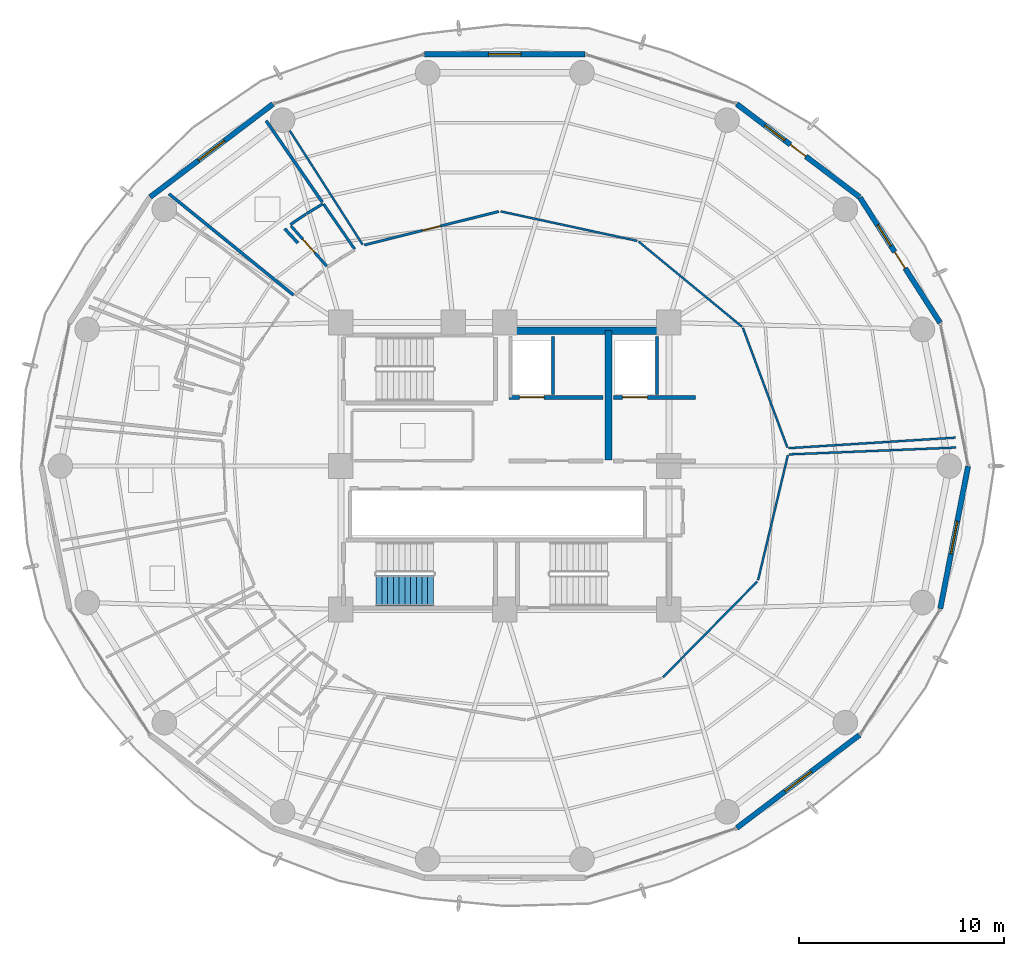
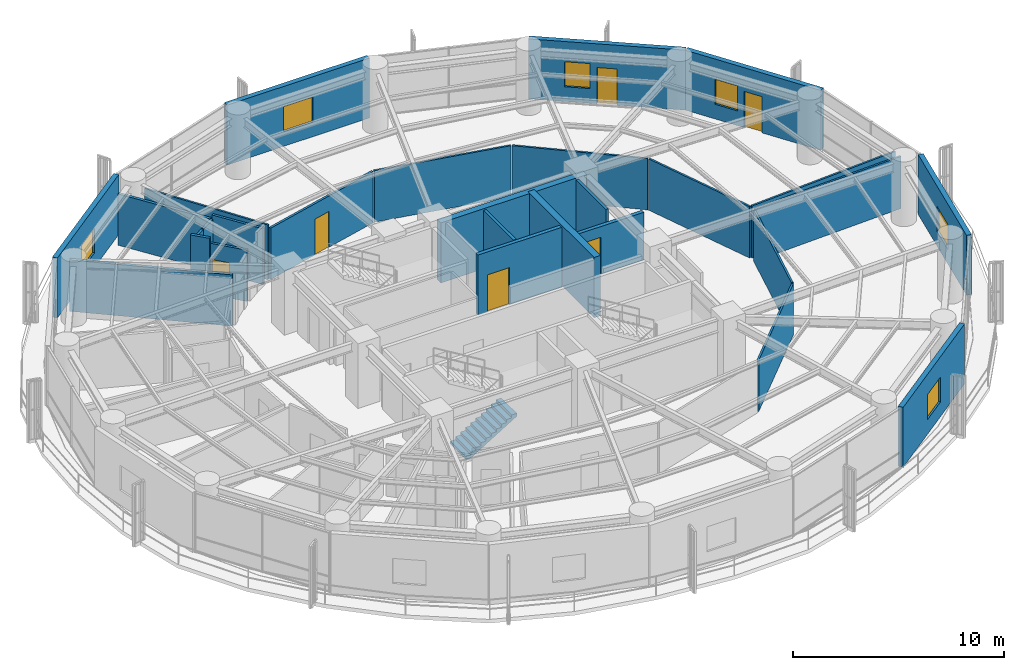
# One storey, part 24 of 28: 28 walls, 6 doors, 6 windows, 1 stair flight, 12 openings, 1 element without a shape of its own.
"""IFC4 building model written with IfcOpenShell, lengths in metres."""

import ifcopenshell
import ifcopenshell.guid

model = None  # the IFC model being written
_history = None  # IfcOwnerHistory: only IFC2X3 demands one
_inside = {}  # id of a spatial element -> (the spatial element, [elements in it])
_under = {}  # id of a project, library or spatial element -> (it, [spatial elements below it])
_declared = {}  # id of a project -> (the project, [libraries it declares])
_typed = {}  # id of a type object -> (the type object, [elements of that type])
_made_of = {}  # id of a material, layer set ... -> (it, [elements and type objects made of it])


def new_model(schema):
    """Start an empty IFC model of exactly this schema.

    Asked for "IFC4X3", IfcOpenShell would pick the latest addendum, in which some entities
    have other attributes; the version numbers below select the first issue.
    IFC2X3 requires an IfcOwnerHistory on every rooted entity: one is made here for all.
    """
    global model, _history
    if schema == "IFC4X3":
        model = ifcopenshell.file(schema_version=(4, 3, 0, 0))
    else:
        model = ifcopenshell.file(schema=schema)
    _inside.clear()
    _under.clear()
    _declared.clear()
    _typed.clear()
    _made_of.clear()
    _history = None
    if model.schema == "IFC2X3":
        org = make("IfcOrganization", Name="unknown")
        user = make(
            "IfcPersonAndOrganization",
            ThePerson=make("IfcPerson", FamilyName="unknown"),
            TheOrganization=org,
        )
        app = make(
            "IfcApplication",
            ApplicationDeveloper=org,
            Version="unknown",
            ApplicationFullName="unknown",
            ApplicationIdentifier="unknown",
        )
        _history = make(
            "IfcOwnerHistory",
            OwningUser=user,
            OwningApplication=app,
            ChangeAction="ADDED",
            CreationDate=0,
        )
    return model


def make(cls, **values):
    """One entity of the class cls with the attributes given. An attribute that is None is left unset."""
    return model.create_entity(
        cls, **{name: value for name, value in values.items() if value is not None}
    )


def rooted(cls, **values):
    """An entity with a GlobalId (a new one), such as an element, a storey or a relation."""
    return make(cls, GlobalId=ifcopenshell.guid.new(), OwnerHistory=_history, **values)


def si_unit(unit_type, name, prefix=None):
    """IfcSIUnit, for example si_unit("LENGTHUNIT", "METRE", prefix="MILLI")."""
    return make("IfcSIUnit", UnitType=unit_type, Prefix=prefix, Name=name)


def assignment(units):
    """IfcUnitAssignment: the units of a project."""
    return None if units is None else make("IfcUnitAssignment", Units=units)


def point(xyz):
    """IfcCartesianPoint."""
    return None if xyz is None else make("IfcCartesianPoint", Coordinates=xyz)


def direction(xyz):
    """IfcDirection."""
    return None if xyz is None else make("IfcDirection", DirectionRatios=xyz)


def frame(location, z_axis=None, x_axis=None):
    """IfcAxis2Placement3D, a coordinate frame: its origin and axes. An axis left out is left unset."""
    return make(
        "IfcAxis2Placement3D",
        Location=point(location),
        Axis=direction(z_axis),
        RefDirection=direction(x_axis),
    )


def frame_2d(location, x_axis=None):
    """IfcAxis2Placement2D, a coordinate frame in the plane: its origin and x axis."""
    return make(
        "IfcAxis2Placement2D", Location=point(location), RefDirection=direction(x_axis)
    )


def origin():
    """The frame at (0, 0, 0) with its axes left unset."""
    return frame((0.0, 0.0, 0.0))


def place(relative_to, where):
    """IfcLocalPlacement: puts the frame where relative to a parent placement (None: the world)."""
    return make(
        "IfcLocalPlacement", PlacementRelTo=relative_to, RelativePlacement=where
    )


def context(
    kind, dimensions, precision=None, world=None, true_north=None, identifier=None
):
    """IfcGeometricRepresentationContext, for example the 3D "Model" context."""
    return make(
        "IfcGeometricRepresentationContext",
        ContextIdentifier=identifier,
        ContextType=kind,
        CoordinateSpaceDimension=dimensions,
        Precision=precision,
        WorldCoordinateSystem=world,
        TrueNorth=true_north,
    )


def subcontext(parent, identifier, kind, view, scale=None):
    """IfcGeometricRepresentationSubContext, for example "Body" below "Model"."""
    return make(
        "IfcGeometricRepresentationSubContext",
        ContextIdentifier=identifier,
        ContextType=kind,
        ParentContext=parent,
        TargetScale=scale,
        TargetView=view,
    )


def project(units=None, contexts=None):
    """IfcProject with its units and contexts."""
    return rooted(
        "IfcProject",
        Name="project",
        RepresentationContexts=contexts,
        UnitsInContext=assignment(units),
    )


def spatial(cls, under=None, at=None, **own):
    """A site, building, storey or space (cls), placed at a placement, below another one or the project."""
    s = rooted(cls, ObjectPlacement=at, **own)
    if under is not None:
        _under.setdefault(under.id(), (under, []))[1].append(s)
    return s


def polyline(points):
    """IfcPolyline through the points."""
    return make("IfcPolyline", Points=[point(p) for p in points])


def profile(cls, at=None, kind="AREA", **sizes):
    """A parametric profile (cls). Its sizes go by their IFC names, for example OverallWidth=200.0."""
    return make(cls, ProfileType=kind, Position=at, **sizes)


def rectangle(**sizes):
    """IfcRectangleProfileDef."""
    return profile("IfcRectangleProfileDef", **sizes)


def outline(outer, holes=None, kind="AREA"):
    """IfcArbitraryClosedProfileDef: a profile drawn as a closed curve; with holes, ...WithVoids."""
    if holes is None:
        return make("IfcArbitraryClosedProfileDef", ProfileType=kind, OuterCurve=outer)
    return make(
        "IfcArbitraryProfileDefWithVoids",
        ProfileType=kind,
        OuterCurve=outer,
        InnerCurves=holes,
    )


def extrude(swept, where, along, depth):
    """IfcExtrudedAreaSolid: the profile swept, set in the frame where, extruded along a direction by depth."""
    return make(
        "IfcExtrudedAreaSolid",
        SweptArea=swept,
        Position=where,
        ExtrudedDirection=direction(along),
        Depth=depth,
    )


def shape(context_of_items, identifier, shape_type, items):
    """IfcShapeRepresentation: the items that make up one representation, for example the "Body"."""
    return make(
        "IfcShapeRepresentation",
        ContextOfItems=context_of_items,
        RepresentationIdentifier=identifier,
        RepresentationType=shape_type,
        Items=items,
    )


def material(Name=None, Category=None):
    """IfcMaterial."""
    return make("IfcMaterial", Name=Name, Category=Category)


def layer(
    of_material, thickness, ventilated=None, Name=None, Category=None, Priority=None
):
    """IfcMaterialLayer: one layer of a wall or slab, of a material (None: an air gap)."""
    return make(
        "IfcMaterialLayer",
        Material=of_material,
        LayerThickness=thickness,
        IsVentilated=ventilated,
        Name=Name,
        Category=Category,
        Priority=Priority,
    )


def layer_set(layers, Name=None):
    """IfcMaterialLayerSet."""
    return make("IfcMaterialLayerSet", MaterialLayers=layers, LayerSetName=Name)


def made_of(thing, what):
    """Note that an element or type object is made of a material, layer set ...; save() writes the relation."""
    if what is not None:
        _made_of.setdefault(what.id(), (what, []))[1].append(thing)
    return thing


def type_object(cls, material=None, **own):
    """A type object (cls), such as IfcWallType, which elements share."""
    return made_of(rooted(cls, **own), material)


def element(
    cls,
    number,
    at=None,
    inside=None,
    cuts=None,
    type_object=None,
    material=None,
    context=None,
    identifier="Body",
    shape_type=None,
    held_by="IfcProductDefinitionShape",
    body=None,
    shapes=None,
    **own,
):
    """One element of the class cls, such as IfcWall. Its Tag is "e" and its number.

    at: its placement. inside: the storey or other place that contains it. cuts: it is an
    opening in that element (IfcRelVoidsElement). A single representation is given by context,
    identifier, shape_type and body (its items); several are given by shapes. held_by: the class
    of the entity that holds the representations. save() writes the other relations.
    """
    e = rooted(cls, Tag="e%d" % number, ObjectPlacement=at, **own)
    if body is not None:
        shapes = [shape(context, identifier, shape_type, body)]
    if shapes is not None:
        e.Representation = make(held_by, Representations=shapes)
    if inside is not None:
        _inside.setdefault(inside.id(), (inside, []))[1].append(e)
    if cuts is not None:
        rooted(
            "IfcRelVoidsElement", RelatingBuildingElement=cuts, RelatedOpeningElement=e
        )
    if type_object is not None:
        _typed.setdefault(type_object.id(), (type_object, []))[1].append(e)
    return made_of(e, material)


def fill(opening, filler):
    """IfcRelFillsElement: the door or window that sits in an opening."""
    return rooted(
        "IfcRelFillsElement",
        RelatingOpeningElement=opening,
        RelatedBuildingElement=filler,
    )


def aggregate(whole, parts):
    """IfcRelAggregates: a whole, such as a stair, and the parts it consists of."""
    return rooted("IfcRelAggregates", RelatingObject=whole, RelatedObjects=parts)


def save(model, path):
    """Write the relations noted so far, then the file.

    IfcRelAggregates (storeys below a building ...), IfcRelContainedInSpatialStructure (elements
    in a storey), IfcRelDefinesByType, IfcRelAssociatesMaterial and IfcRelDeclares: one each for
    every whole, place, type object, material and project.
    """
    for whole, parts in _under.values():
        aggregate(whole, parts)
    for where, things in _inside.values():
        rooted(
            "IfcRelContainedInSpatialStructure",
            RelatedElements=things,
            RelatingStructure=where,
        )
    for kind, things in _typed.values():
        rooted("IfcRelDefinesByType", RelatedObjects=things, RelatingType=kind)
    for what, things in _made_of.values():
        rooted("IfcRelAssociatesMaterial", RelatedObjects=things, RelatingMaterial=what)
    for by, libraries in _declared.values():
        rooted("IfcRelDeclares", RelatingContext=by, RelatedDefinitions=libraries)
    model.write(path)


model = new_model("IFC4")

# Units and contexts
model_context = context("Model", 3, precision=1e-05, world=origin(), true_north=direction((0.0, 1.0)))
body_context = subcontext(model_context, "Body", "Model", "MODEL_VIEW")
ifc_project = project(units=[si_unit("LENGTHUNIT", "METRE"), si_unit("AREAUNIT", "SQUARE_METRE"), si_unit("VOLUMEUNIT", "CUBIC_METRE"), si_unit("PLANEANGLEUNIT", "RADIAN"), si_unit("MASSUNIT", "GRAM", prefix="KILO")], contexts=[model_context])

# Site, building, storey
site_placement = place(None, origin())
site = spatial("IfcSite", under=ifc_project, at=site_placement, CompositionType="ELEMENT")
building_placement = place(site_placement, origin())
building = spatial("IfcBuilding", under=site, at=building_placement, Name="Kelanora Arch Commons", CompositionType="ELEMENT")
storey_placement = place(building_placement, frame((0.0, 0.0, 158.10009765625)))
storey = spatial("IfcBuildingStorey", under=building, at=storey_placement, Name="L40", CompositionType="ELEMENT", Elevation=158.10009765625)

# Walls
ifc_material_1 = material(Name="Autoclaved aerated concrete blockwork with fire plaster", Category="masonry")
ifc_layer_1 = layer(ifc_material_1, 0.14990234375)
ifc_layer_set_1 = layer_set([ifc_layer_1], Name="Autoclaved aerated concrete blockwork with fire plaster")
wall_type_1 = type_object("IfcWallType", Name="W-COMP-150", PredefinedType="PARTITIONING", material=ifc_layer_set_1)
for number, where, z_axis, x_axis, name in (
    (1, (76.360107421875, 61.47998046875, 0.0), (0.0, 0.0, 1.0), (0.0, 1.0, 0.0), "Firefighting Lift 1 East Shaft Wall L40"),
    (2, (81.419921875, 61.47998046875, 0.0), (0.0, 0.0, 1.0), (0.0, 1.0, 0.0), "Firefighting Lift 2 East Shaft Wall L40"),
):
    element("IfcWall", number, at=place(storey_placement, frame(where, z_axis=z_axis, x_axis=x_axis)), inside=storey, type_object=wall_type_1, Name=name, PredefinedType="PARTITIONING", context=body_context, shape_type="SweptSolid", body=[
        extrude(rectangle(XDim=2.840087890625, YDim=0.14990234375, at=frame_2d((1.419921875, 0.0))), origin(), (0.0, 0.0, 1.0), 3.47998046875),
    ])
wall_1_placement = place(storey_placement, frame((63.68896484375, 66.340087890625, 0.0), z_axis=(0.0, 0.0, 1.0), x_axis=(-0.77600992695, 0.630720693553, 0.0)))
element("IfcWall", 3, at=wall_1_placement, inside=storey, type_object=wall_type_1, Name="Cluster Bedroom L40-01 Enclosure Partition 2", PredefinedType="PARTITIONING", context=body_context, shape_type="SweptSolid", body=[
    extrude(rectangle(XDim=7.822265625, YDim=0.14990234375, at=frame_2d((3.9111328125, 0.0))), origin(), (0.0, 0.0, 1.0), 2.974853515625),
])
wall_2_placement = place(storey_placement, frame((62.354736328125, 74.84521484375, 0.0), z_axis=(0.0, 0.0, 1.0), x_axis=(0.56747106095, -0.823393341596, 0.0)))
element("IfcWall", 4, at=wall_2_placement, inside=storey, type_object=wall_type_1, Name="Cluster Bedroom L40-01 Enclosure Partition 5", PredefinedType="PARTITIONING", context=body_context, shape_type="SweptSolid", body=[
    extrude(rectangle(XDim=4.836669921875, YDim=0.14990234375, at=frame_2d((2.41845703125, 0.0))), origin(), (0.0, 0.0, 1.0), 2.974853515625),
])
wall_3_placement = place(storey_placement, frame((63.26416015625, 69.573486328125, 0.0), z_axis=(0.0, 0.0, 1.0), x_axis=(0.678771543933, -0.734349502041, 0.0)))
element("IfcWall", 5, at=wall_3_placement, inside=storey, type_object=wall_type_1, Name="Cluster Bedroom L40-01 Enclosure Partition 7", PredefinedType="PARTITIONING", context=body_context, shape_type="SweptSolid", body=[
    extrude(rectangle(XDim=0.94873046875, YDim=0.14990234375, at=frame_2d((0.474365234375, 0.0))), origin(), (0.0, 0.0, 1.0), 3.47998046875),
])
ifc_material_2 = material(Name="Concrete C50/60", Category="concrete")
ifc_layer_2 = layer(ifc_material_2, 0.35009765625)
ifc_layer_set_2 = layer_set([ifc_layer_2], Name="Concrete C50/60")
wall_type_2 = type_object("IfcWallType", Name="W-CORE-350", PredefinedType="SHEAR", material=ifc_layer_set_2)
wall_4_placement = place(storey_placement, frame((74.0, 64.60009765625, 0.0), z_axis=(0.0, 0.0, 1.0), x_axis=(1.0, 0.0, 0.0)))
element("IfcWall", 6, at=wall_4_placement, inside=storey, type_object=wall_type_2, Name="Core Shear Spine L40-CN-E", PredefinedType="SHEAR", context=body_context, shape_type="SweptSolid", body=[
    extrude(rectangle(XDim=8.0, YDim=0.35009765625, at=frame_2d((4.0, 0.0))), origin(), (0.0, 0.0, 1.0), 3.489990234375),
])
wall_5_placement = place(storey_placement, frame((79.050048828125, 58.300048828125, 0.0), z_axis=(0.0, 0.0, 1.0), x_axis=(0.0, 1.0, 0.0)))
element("IfcWall", 7, at=wall_5_placement, inside=storey, type_object=wall_type_2, Name="Core Shear Spine L40-CE-N", PredefinedType="SHEAR", context=body_context, shape_type="SweptSolid", body=[
    extrude(rectangle(XDim=6.300048828125, YDim=0.35009765625, at=frame_2d((3.14990234375, 0.0))), origin(), (0.0, 0.0, 1.0), 3.489990234375),
])

# Wall, openings, door, window
ifc_material_3 = material(Name="Precast concrete C40/50 with terracotta rainscreen", Category="masonry")
ifc_layer_3 = layer(ifc_material_3, 0.260009765625)
ifc_layer_set_3 = layer_set([ifc_layer_3], Name="Precast concrete C40/50 with terracotta rainscreen")
wall_type_3 = type_object("IfcWallType", Name="W-EXT-TC", PredefinedType="SOLIDWALL", material=ifc_layer_set_3)
wall_6_placement = place(storey_placement, frame((95.22900390625, 64.98974609375, 0.0), z_axis=(0.0, 0.0, 1.0), x_axis=(-0.538801521808, 0.842432739213, 0.0)))
wall_6 = element("IfcWall", 8, at=wall_6_placement, inside=storey, type_object=wall_type_3, Name="Terracotta Exterior Wall L40-B01", PredefinedType="SOLIDWALL", context=body_context, shape_type="SweptSolid", body=[
    extrude(rectangle(XDim=7.25341796875, YDim=0.260009765625, at=frame_2d((3.626708984375, 0.0))), origin(), (0.0, 0.0, 1.0), 3.474853515625),
])
opening_1_placement = place(wall_6_placement, frame((3.152099609375, 0.0, 0.0)))
opening_1 = element("IfcOpeningElement", 9, at=opening_1_placement, cuts=wall_6, Name="Opening DB-01", PredefinedType="OPENING", context=body_context, shape_type="SweptSolid", body=[
    extrude(rectangle(XDim=0.949951171875, YDim=2.10009765625, at=frame_2d((0.47509765625, 1.050048828125))), frame((0.0, 0.14013671875, 0.0), z_axis=(0.0, -1.0, 0.0), x_axis=(1.0, 0.0, 0.0)), (0.0, 0.0, 1.0), 0.280029296875),
])
opening_2_placement = place(wall_6_placement, frame((4.451904296875, 0.0, 0.85009765625)))
opening_2 = element("IfcOpeningElement", 10, at=opening_2_placement, cuts=wall_6, Name="Opening WN-02", PredefinedType="OPENING", context=body_context, shape_type="SweptSolid", body=[
    extrude(rectangle(XDim=1.199951171875, YDim=1.449951171875, at=frame_2d((0.60009765625, 0.72509765625))), frame((0.0, 0.14013671875, 0.0), z_axis=(0.0, -1.0, 0.0), x_axis=(1.0, 0.0, 0.0)), (0.0, 0.0, 1.0), 0.280029296875),
])
ifc_material_4 = material(Name="Terracotta-aluminium thermally broken glazed balcony door", Category="masonry")
door_type_1 = type_object("IfcDoorType", Name="D-BAL-10", OperationType="NOTDEFINED", PredefinedType="DOOR", material=ifc_material_4)
door_1_placement = place(opening_1_placement, frame((0.949951171875, 0.0, 0.0), z_axis=(0.0, 0.0, 1.0), x_axis=(-1.0, 0.0, 0.0)))
door_1 = element("IfcDoor", 11, at=door_1_placement, inside=storey, type_object=door_type_1, Name="Wave Balcony Door L40-B01", OperationType="SINGLE_SWING_RIGHT", OverallHeight=2.10009765625, OverallWidth=0.949951171875, PredefinedType="DOOR", context=body_context, shape_type="SweptSolid", body=[
    extrude(rectangle(XDim=0.949951171875, YDim=2.10009765625, at=frame_2d((0.47509765625, 1.050048828125))), frame((0.0, 0.02490234375, 0.0), z_axis=(0.0, -1.0, 0.0), x_axis=(1.0, 0.0, 0.0)), (0.0, 0.0, 1.0), 0.050048828125),
])
fill(opening_1, door_1)
ifc_material_5 = material(Name="Terracotta-anodised aluminium frame with operable awning sash", Category="masonry")
window_type_1 = type_object("IfcWindowType", Name="WIN-CL-12", PartitioningType="SINGLE_PANEL", PredefinedType="WINDOW", material=ifc_material_5)
window_1_placement = place(opening_2_placement, origin())
window_1 = element("IfcWindow", 12, at=window_1_placement, inside=storey, type_object=window_type_1, Name="Co-Living Operable Window L40-B01", OverallHeight=1.449951171875, OverallWidth=1.199951171875, PartitioningType="SINGLE_PANEL", PredefinedType="WINDOW", context=body_context, shape_type="SweptSolid", body=[
    extrude(rectangle(XDim=1.199951171875, YDim=1.449951171875, at=frame_2d((0.60009765625, 0.72509765625))), frame((0.0, 0.030029296875, 0.0), z_axis=(0.0, -1.0, 0.0), x_axis=(1.0, 0.0, 0.0)), (0.0, 0.0, 1.0), 0.06005859375),
])
fill(opening_2, window_1)

wall_7_placement = place(storey_placement, frame((91.300537109375, 71.1220703125, 0.0), z_axis=(0.0, 0.0, 1.0), x_axis=(-0.797163719609, 0.603763202042, 0.0)))
wall_7 = element("IfcWall", 13, at=wall_7_placement, inside=storey, type_object=wall_type_3, Name="Terracotta Exterior Wall L40-B02", PredefinedType="SOLIDWALL", context=body_context, shape_type="SweptSolid", body=[
    extrude(rectangle(XDim=7.51220703125, YDim=0.260009765625, at=frame_2d((3.756103515625, 0.0))), origin(), (0.0, 0.0, 1.0), 3.474853515625),
])
opening_3_placement = place(wall_7_placement, frame((3.281005859375, 0.0, 0.0)))
opening_3 = element("IfcOpeningElement", 14, at=opening_3_placement, cuts=wall_7, Name="Opening DB-01", PredefinedType="OPENING", context=body_context, shape_type="SweptSolid", body=[
    extrude(rectangle(XDim=0.949951171875, YDim=2.10009765625, at=frame_2d((0.47509765625, 1.050048828125))), frame((0.0, 0.14013671875, 0.0), z_axis=(0.0, -1.0, 0.0), x_axis=(1.0, 0.0, 0.0)), (0.0, 0.0, 1.0), 0.280029296875),
])
opening_4_placement = place(wall_7_placement, frame((4.5810546875, 0.0, 0.85009765625)))
opening_4 = element("IfcOpeningElement", 15, at=opening_4_placement, cuts=wall_7, Name="Opening WN-02", PredefinedType="OPENING", context=body_context, shape_type="SweptSolid", body=[
    extrude(rectangle(XDim=1.199951171875, YDim=1.449951171875, at=frame_2d((0.60009765625, 0.72509765625))), frame((0.0, 0.14013671875, 0.0), z_axis=(0.0, -1.0, 0.0), x_axis=(1.0, 0.0, 0.0)), (0.0, 0.0, 1.0), 0.280029296875),
])
door_2_placement = place(opening_3_placement, frame((0.949951171875, 0.0, 0.0), z_axis=(0.0, 0.0, 1.0), x_axis=(-1.0, 0.0, 0.0)))
door_2 = element("IfcDoor", 16, at=door_2_placement, inside=storey, type_object=door_type_1, Name="Wave Balcony Door L40-B02", OperationType="SINGLE_SWING_LEFT", OverallHeight=2.10009765625, OverallWidth=0.949951171875, PredefinedType="DOOR", context=body_context, shape_type="SweptSolid", body=[
    extrude(rectangle(XDim=0.949951171875, YDim=2.10009765625, at=frame_2d((0.47509765625, 1.050048828125))), frame((0.0, 0.02490234375, 0.0), z_axis=(0.0, -1.0, 0.0), x_axis=(1.0, 0.0, 0.0)), (0.0, 0.0, 1.0), 0.050048828125),
])
fill(opening_3, door_2)
window_2_placement = place(opening_4_placement, origin())
window_2 = element("IfcWindow", 17, at=window_2_placement, inside=storey, type_object=window_type_1, Name="Co-Living Operable Window L40-B02", OverallHeight=1.449951171875, OverallWidth=1.199951171875, PartitioningType="SINGLE_PANEL", PredefinedType="WINDOW", context=body_context, shape_type="SweptSolid", body=[
    extrude(rectangle(XDim=1.199951171875, YDim=1.449951171875, at=frame_2d((0.60009765625, 0.72509765625))), frame((0.0, 0.030029296875, 0.0), z_axis=(0.0, -1.0, 0.0), x_axis=(1.0, 0.0, 0.0)), (0.0, 0.0, 1.0), 0.06005859375),
])
fill(opening_4, window_2)

# Wall, opening, window
wall_8_placement = place(storey_placement, frame((77.909423828125, 78.090087890625, 0.0), z_axis=(0.0, 0.0, 1.0), x_axis=(-1.0, 0.0, 0.0)))
wall_8 = element("IfcWall", 18, at=wall_8_placement, inside=storey, type_object=wall_type_3, Name="Terracotta Exterior Wall L40-B04", PredefinedType="SOLIDWALL", context=body_context, shape_type="SweptSolid", body=[
    extrude(rectangle(XDim=7.81884765625, YDim=0.260009765625, at=frame_2d((3.909423828125, 0.0))), origin(), (0.0, 0.0, 1.0), 3.474853515625),
])
opening_5_placement = place(wall_8_placement, frame((3.10888671875, 0.0, 0.85009765625)))
opening_5 = element("IfcOpeningElement", 19, at=opening_5_placement, cuts=wall_8, Name="Opening WN-01", PredefinedType="OPENING", context=body_context, shape_type="SweptSolid", body=[
    extrude(rectangle(XDim=1.60009765625, YDim=1.449951171875, at=frame_2d((0.800048828125, 0.72509765625))), frame((0.0, 0.14013671875, 0.0), z_axis=(0.0, -1.0, 0.0), x_axis=(1.0, 0.0, 0.0)), (0.0, 0.0, 1.0), 0.280029296875),
])
ifc_material_6 = material(Name="Terracotta-anodised aluminium frame with operable low-E glazing", Category="masonry")
window_type_2 = type_object("IfcWindowType", Name="WIN-CL-18", PartitioningType="DOUBLE_PANEL_VERTICAL", PredefinedType="WINDOW", material=ifc_material_6)
window_3_placement = place(opening_5_placement, origin())
window_3 = element("IfcWindow", 20, at=window_3_placement, inside=storey, type_object=window_type_2, Name="Co-Living Operable Window L40-B04", OverallHeight=1.449951171875, OverallWidth=1.60009765625, PartitioningType="SINGLE_PANEL", PredefinedType="WINDOW", context=body_context, shape_type="SweptSolid", body=[
    extrude(rectangle(XDim=1.60009765625, YDim=1.449951171875, at=frame_2d((0.800048828125, 0.72509765625))), frame((0.0, 0.030029296875, 0.0), z_axis=(0.0, -1.0, 0.0), x_axis=(1.0, 0.0, 0.0)), (0.0, 0.0, 1.0), 0.06005859375),
])
fill(opening_5, window_3)

wall_9_placement = place(storey_placement, frame((62.68798828125, 75.65771484375, 0.0), z_axis=(0.0, 0.0, 1.0), x_axis=(-0.797163719609, -0.603763202042, 0.0)))
wall_9 = element("IfcWall", 21, at=wall_9_placement, inside=storey, type_object=wall_type_3, Name="Terracotta Exterior Wall L40-B06", PredefinedType="SOLIDWALL", context=body_context, shape_type="SweptSolid", body=[
    extrude(rectangle(XDim=7.51220703125, YDim=0.260009765625, at=frame_2d((3.756103515625, 0.0))), origin(), (0.0, 0.0, 1.0), 3.474853515625),
])
opening_6_placement = place(wall_9_placement, frame((2.9560546875, 0.0, 0.85009765625)))
opening_6 = element("IfcOpeningElement", 22, at=opening_6_placement, cuts=wall_9, Name="Opening WN-01", PredefinedType="OPENING", context=body_context, shape_type="SweptSolid", body=[
    extrude(rectangle(XDim=1.60009765625, YDim=1.449951171875, at=frame_2d((0.800048828125, 0.72509765625))), frame((0.0, 0.14013671875, 0.0), z_axis=(0.0, -1.0, 0.0), x_axis=(1.0, 0.0, 0.0)), (0.0, 0.0, 1.0), 0.280029296875),
])
window_4_placement = place(opening_6_placement, origin())
window_4 = element("IfcWindow", 23, at=window_4_placement, inside=storey, type_object=window_type_2, Name="Co-Living Operable Window L40-B06", OverallHeight=1.449951171875, OverallWidth=1.60009765625, PartitioningType="SINGLE_PANEL", PredefinedType="WINDOW", context=body_context, shape_type="SweptSolid", body=[
    extrude(rectangle(XDim=1.60009765625, YDim=1.449951171875, at=frame_2d((0.800048828125, 0.72509765625))), frame((0.0, 0.030029296875, 0.0), z_axis=(0.0, -1.0, 0.0), x_axis=(1.0, 0.0, 0.0)), (0.0, 0.0, 1.0), 0.06005859375),
])
fill(opening_6, window_4)

wall_10_placement = place(storey_placement, frame((85.31201171875, 40.34228515625, 0.0), z_axis=(0.0, 0.0, 1.0), x_axis=(0.797163719609, 0.603763202042, 0.0)))
wall_10 = element("IfcWall", 24, at=wall_10_placement, inside=storey, type_object=wall_type_3, Name="Terracotta Exterior Wall L40-B15", PredefinedType="SOLIDWALL", context=body_context, shape_type="SweptSolid", body=[
    extrude(rectangle(XDim=7.51220703125, YDim=0.260009765625, at=frame_2d((3.756103515625, 0.0))), origin(), (0.0, 0.0, 1.0), 3.474853515625),
])
opening_7_placement = place(wall_10_placement, frame((2.9560546875, 0.0, 0.85009765625)))
opening_7 = element("IfcOpeningElement", 25, at=opening_7_placement, cuts=wall_10, Name="Opening WN-01", PredefinedType="OPENING", context=body_context, shape_type="SweptSolid", body=[
    extrude(rectangle(XDim=1.60009765625, YDim=1.449951171875, at=frame_2d((0.800048828125, 0.72509765625))), frame((0.0, 0.14013671875, 0.0), z_axis=(0.0, -1.0, 0.0), x_axis=(1.0, 0.0, 0.0)), (0.0, 0.0, 1.0), 0.280029296875),
])
window_5_placement = place(opening_7_placement, origin())
window_5 = element("IfcWindow", 26, at=window_5_placement, inside=storey, type_object=window_type_2, Name="Co-Living Operable Window L40-B15", OverallHeight=1.449951171875, OverallWidth=1.60009765625, PartitioningType="SINGLE_PANEL", PredefinedType="WINDOW", context=body_context, shape_type="SweptSolid", body=[
    extrude(rectangle(XDim=1.60009765625, YDim=1.449951171875, at=frame_2d((0.800048828125, 0.72509765625))), frame((0.0, 0.030029296875, 0.0), z_axis=(0.0, -1.0, 0.0), x_axis=(1.0, 0.0, 0.0)), (0.0, 0.0, 1.0), 0.06005859375),
])
fill(opening_7, window_5)

wall_11_placement = place(storey_placement, frame((95.239990234375, 51.03759765625, 0.0), z_axis=(0.0, 0.0, 1.0), x_axis=(0.191716984769, 0.981450252306, 0.0)))
wall_11 = element("IfcWall", 27, at=wall_11_placement, inside=storey, type_object=wall_type_3, Name="Terracotta Exterior Wall L40-B17", PredefinedType="SOLIDWALL", context=body_context, shape_type="SweptSolid", body=[
    extrude(rectangle(XDim=7.0791015625, YDim=0.260009765625, at=frame_2d((3.53955078125, 0.0))), origin(), (0.0, 0.0, 1.0), 3.474853515625),
])
opening_8_placement = place(wall_11_placement, frame((2.739990234375, 0.0, 0.85009765625)))
opening_8 = element("IfcOpeningElement", 28, at=opening_8_placement, cuts=wall_11, Name="Opening WN-01", PredefinedType="OPENING", context=body_context, shape_type="SweptSolid", body=[
    extrude(rectangle(XDim=1.60009765625, YDim=1.449951171875, at=frame_2d((0.800048828125, 0.72509765625))), frame((0.0, 0.14013671875, 0.0), z_axis=(0.0, -1.0, 0.0), x_axis=(1.0, 0.0, 0.0)), (0.0, 0.0, 1.0), 0.280029296875),
])
window_6_placement = place(opening_8_placement, origin())
window_6 = element("IfcWindow", 29, at=window_6_placement, inside=storey, type_object=window_type_2, Name="Co-Living Operable Window L40-B17", OverallHeight=1.449951171875, OverallWidth=1.60009765625, PartitioningType="SINGLE_PANEL", PredefinedType="WINDOW", context=body_context, shape_type="SweptSolid", body=[
    extrude(rectangle(XDim=1.60009765625, YDim=1.449951171875, at=frame_2d((0.800048828125, 0.72509765625))), frame((0.0, 0.030029296875, 0.0), z_axis=(0.0, -1.0, 0.0), x_axis=(1.0, 0.0, 0.0)), (0.0, 0.0, 1.0), 0.06005859375),
])
fill(opening_8, window_6)

# Wall, opening, door
ifc_material_7 = material(Name="Concrete C40/50", Category="concrete")
ifc_layer_4 = layer(ifc_material_7, 0.199951171875)
ifc_layer_set_4 = layer_set([ifc_layer_4], Name="Concrete C40/50")
wall_type_4 = type_object("IfcWallType", Name="W-FFL-200", PredefinedType="SOLIDWALL", material=ifc_layer_set_4)
wall_12_placement = place(storey_placement, frame((74.199951171875, 61.35009765625, 0.0), z_axis=(0.0, 0.0, 1.0), x_axis=(1.0, 0.0, 0.0)))
wall_12 = element("IfcWall", 30, at=wall_12_placement, inside=storey, type_object=wall_type_4, Name="Firefighting Lift 1 Shaft Front L40", PredefinedType="SOLIDWALL", context=body_context, shape_type="SweptSolid", body=[
    extrude(rectangle(XDim=4.60009765625, YDim=0.199951171875, at=frame_2d((2.300048828125, 0.0))), origin(), (0.0, 0.0, 1.0), 3.47998046875),
])
opening_9_placement = place(wall_12_placement, frame((0.52001953125, 0.0, 0.0)))
opening_9 = element("IfcOpeningElement", 31, at=opening_9_placement, cuts=wall_12, Name="Opening LD-FF", PredefinedType="OPENING", context=body_context, shape_type="SweptSolid", body=[
    extrude(rectangle(XDim=1.199951171875, YDim=2.14990234375, at=frame_2d((0.60009765625, 1.074951171875))), frame((0.0, 0.10986328125, 0.0), z_axis=(0.0, -1.0, 0.0), x_axis=(1.0, 0.0, 0.0)), (0.0, 0.0, 1.0), 0.219970703125),
])
ifc_material_8 = material(Name="Fire-rated firefighters lift sliding landing door")
door_type_2 = type_object("IfcDoorType", Name="D-LIFT-FF", OperationType="NOTDEFINED", PredefinedType="DOOR", material=ifc_material_8)
door_3_placement = place(opening_9_placement, origin())
door_3 = element("IfcDoor", 32, at=door_3_placement, inside=storey, type_object=door_type_2, Name="Firefighting Lift LF-FF1 Landing Door L40", OperationType="DOUBLE_DOOR_SLIDING", OverallHeight=2.14990234375, OverallWidth=1.199951171875, PredefinedType="DOOR", context=body_context, shape_type="SweptSolid", body=[
    extrude(rectangle(XDim=1.199951171875, YDim=2.14990234375, at=frame_2d((0.60009765625, 1.074951171875))), frame((0.0, 0.02490234375, 0.0), z_axis=(0.0, -1.0, 0.0), x_axis=(1.0, 0.0, 0.0)), (0.0, 0.0, 1.0), 0.050048828125),
])
fill(opening_9, door_3)

wall_13_placement = place(storey_placement, frame((79.300048828125, 61.35009765625, 0.0), z_axis=(0.0, 0.0, 1.0), x_axis=(1.0, 0.0, 0.0)))
wall_13 = element("IfcWall", 33, at=wall_13_placement, inside=storey, type_object=wall_type_4, Name="Firefighting Lift 2 Shaft Front L40", PredefinedType="SOLIDWALL", context=body_context, shape_type="SweptSolid", body=[
    extrude(rectangle(XDim=4.0, YDim=0.199951171875, at=frame_2d((2.0, 0.0))), origin(), (0.0, 0.0, 1.0), 2.77490234375),
])
opening_10_placement = place(wall_13_placement, frame((0.449951171875, 0.0, 0.0)))
opening_10 = element("IfcOpeningElement", 34, at=opening_10_placement, cuts=wall_13, Name="Opening LD-FF", PredefinedType="OPENING", context=body_context, shape_type="SweptSolid", body=[
    extrude(rectangle(XDim=1.199951171875, YDim=2.14990234375, at=frame_2d((0.60009765625, 1.074951171875))), frame((0.0, 0.10986328125, 0.0), z_axis=(0.0, -1.0, 0.0), x_axis=(1.0, 0.0, 0.0)), (0.0, 0.0, 1.0), 0.219970703125),
])
door_4_placement = place(opening_10_placement, origin())
door_4 = element("IfcDoor", 35, at=door_4_placement, inside=storey, type_object=door_type_2, Name="Firefighting Lift LF-FF2 Landing Door L40", OperationType="DOUBLE_DOOR_SLIDING", OverallHeight=2.14990234375, OverallWidth=1.199951171875, PredefinedType="DOOR", context=body_context, shape_type="SweptSolid", body=[
    extrude(rectangle(XDim=1.199951171875, YDim=2.14990234375, at=frame_2d((0.60009765625, 1.074951171875))), frame((0.0, 0.02490234375, 0.0), z_axis=(0.0, -1.0, 0.0), x_axis=(1.0, 0.0, 0.0)), (0.0, 0.0, 1.0), 0.050048828125),
])
fill(opening_10, door_4)

# Walls
ifc_material_9 = material(Name="Lightweight fire-rated acoustic stud partition")
ifc_layer_5 = layer(ifc_material_9, 0.10009765625)
ifc_layer_set_5 = layer_set([ifc_layer_5], Name="Lightweight fire-rated acoustic stud partition")
wall_type_5 = type_object("IfcWallType", Name="W-PART-100", PredefinedType="PARTITIONING", material=ifc_layer_set_5)
wall_14_placement = place(storey_placement, frame((81.72216796875, 47.699462890625, 0.0), z_axis=(0.0, 0.0, 1.0), x_axis=(0.701417862724, 0.712750294179, 0.0)))
element("IfcWall", 36, at=wall_14_placement, inside=storey, type_object=wall_type_5, Name="South-East Social Sky Lounge L40 Enclosure Partition 3", PredefinedType="PARTITIONING", context=body_context, shape_type="SweptSolid", body=[
    extrude(rectangle(XDim=6.54931640625, YDim=0.10009765625, at=frame_2d((3.274658203125, 0.0))), origin(), (0.0, 0.0, 1.0), 2.974853515625),
])
wall_15_placement = place(storey_placement, frame((86.353271484375, 52.434814453125, 0.0), z_axis=(0.0, 0.0, 1.0), x_axis=(0.232117767109, 0.972687689956, 0.0)))
element("IfcWall", 37, at=wall_15_placement, inside=storey, type_object=wall_type_5, Name="South-East Social Sky Lounge L40 Enclosure Partition 4", PredefinedType="PARTITIONING", context=body_context, shape_type="SweptSolid", body=[
    extrude(rectangle(XDim=6.26123046875, YDim=0.10009765625, at=frame_2d((3.130615234375, 0.0))), origin(), (0.0, 0.0, 1.0), 2.974853515625),
])
wall_16_placement = place(storey_placement, frame((87.85595703125, 58.565673828125, 0.0), z_axis=(0.0, 0.0, 1.0), x_axis=(0.999160005097, 0.04097907045, 0.0)))
element("IfcWall", 38, at=wall_16_placement, inside=storey, type_object=wall_type_5, Name="South-East Social Sky Lounge L40 Enclosure Partition 5", PredefinedType="PARTITIONING", context=body_context, shape_type="SweptSolid", body=[
    extrude(rectangle(XDim=8.16796875, YDim=0.10009765625, at=frame_2d((4.083984375, 0.0))), origin(), (0.0, 0.0, 1.0), 3.02490234375),
])
wall_17_placement = place(storey_placement, frame((87.781982421875, 58.904541015625, 0.0), z_axis=(0.0, 0.0, 1.0), x_axis=(-0.348794663743, 0.937199169091, 0.0)))
element("IfcWall", 39, at=wall_17_placement, inside=storey, type_object=wall_type_5, Name="North-East Quiet Study Commons L40 Enclosure Partition 1", PredefinedType="PARTITIONING", context=body_context, shape_type="SweptSolid", body=[
    extrude(rectangle(XDim=6.218505859375, YDim=0.10009765625, at=frame_2d((3.109375, 0.0))), origin(), (0.0, 0.0, 1.0), 2.974853515625),
])
wall_18_placement = place(storey_placement, frame((85.568115234375, 64.79541015625, 0.0), z_axis=(0.0, 0.0, 1.0), x_axis=(-0.771910823064, 0.635730824513, 0.0)))
element("IfcWall", 40, at=wall_18_placement, inside=storey, type_object=wall_type_5, Name="North-East Quiet Study Commons L40 Enclosure Partition 2", PredefinedType="PARTITIONING", context=body_context, shape_type="SweptSolid", body=[
    extrude(rectangle(XDim=6.53466796875, YDim=0.10009765625, at=frame_2d((3.267333984375, 0.0))), origin(), (0.0, 0.0, 1.0), 2.974853515625),
])
wall_19_placement = place(storey_placement, frame((80.453857421875, 68.9833984375, 0.0), z_axis=(0.0, 0.0, 1.0), x_axis=(-0.977499159178, 0.210939313089, 0.0)))
element("IfcWall", 41, at=wall_19_placement, inside=storey, type_object=wall_type_5, Name="North-East Quiet Study Commons L40 Enclosure Partition 3", PredefinedType="PARTITIONING", context=body_context, shape_type="SweptSolid", body=[
    extrude(rectangle(XDim=6.80908203125, YDim=0.10009765625, at=frame_2d((3.404541015625, 0.0))), origin(), (0.0, 0.0, 1.0), 2.974853515625),
])
wall_20_placement = place(storey_placement, frame((67.0634765625, 68.798583984375, 0.0), z_axis=(0.0, 0.0, 1.0), x_axis=(-0.538644897025, 0.842532892479, 0.0)))
element("IfcWall", 42, at=wall_20_placement, inside=storey, type_object=wall_type_5, Name="North-East Quiet Study Commons L40 Enclosure Partition 5", PredefinedType="PARTITIONING", context=body_context, shape_type="SweptSolid", body=[
    extrude(rectangle(XDim=6.593505859375, YDim=0.10009765625, at=frame_2d((3.296875, 0.0))), origin(), (0.0, 0.0, 1.0), 3.1748046875),
])
wall_21_placement = place(storey_placement, frame((95.986083984375, 59.384521484375, 0.0), z_axis=(0.0, 0.0, 1.0), x_axis=(-0.998008477031, -0.063079947474, 0.0)))
element("IfcWall", 43, at=wall_21_placement, inside=storey, type_object=wall_type_5, Name="North-East Quiet Study Commons L40 Enclosure Partition 10", PredefinedType="PARTITIONING", context=body_context, shape_type="SweptSolid", body=[
    extrude(rectangle(XDim=8.16650390625, YDim=0.10009765625, at=frame_2d((4.083251953125, 0.0))), origin(), (0.0, 0.0, 1.0), 3.02490234375),
])

# Wall, opening, door
ifc_material_10 = material(Name="Acoustic twin-stud fire-rated gypsum partition")
ifc_layer_6 = layer(ifc_material_10, 0.1201171875)
ifc_layer_set_6 = layer_set([ifc_layer_6], Name="Acoustic twin-stud fire-rated gypsum partition")
wall_type_6 = type_object("IfcWallType", Name="W-PART-120", PredefinedType="PARTITIONING", material=ifc_layer_set_6)
wall_22_placement = place(storey_placement, frame((73.70068359375, 70.41357421875, 0.0), z_axis=(0.0, 0.0, 1.0), x_axis=(-0.970327101986, -0.241796019718, 0.0)))
wall_22 = element("IfcWall", 44, at=wall_22_placement, inside=storey, type_object=wall_type_6, Name="North-East Quiet Study Commons L40 Entry Partition", PredefinedType="PARTITIONING", context=body_context, shape_type="SweptSolid", body=[
    extrude(rectangle(XDim=6.7578125, YDim=0.1201171875, at=frame_2d((3.37890625, 0.0))), origin(), (0.0, 0.0, 1.0), 2.974853515625),
])
opening_11_placement = place(wall_22_placement, frame((2.928955078125, 0.0, 0.0)))
opening_11 = element("IfcOpeningElement", 45, at=opening_11_placement, cuts=wall_22, Name="Opening D-RM1", PredefinedType="OPENING", context=body_context, shape_type="SweptSolid", body=[
    extrude(rectangle(XDim=0.89990234375, YDim=2.080078125, at=frame_2d((0.449951171875, 1.0400390625))), frame((0.0, 0.070068359375, 0.0), z_axis=(0.0, -1.0, 0.0), x_axis=(1.0, 0.0, 0.0)), (0.0, 0.0, 1.0), 0.14013671875),
])
ifc_material_11 = material(Name="Acoustic fire-rated timber study and lounge door", Category="wood")
door_type_3 = type_object("IfcDoorType", Name="D-ROOM-90", OperationType="NOTDEFINED", PredefinedType="DOOR", material=ifc_material_11)
door_5_placement = place(opening_11_placement, origin())
door_5 = element("IfcDoor", 46, at=door_5_placement, inside=storey, type_object=door_type_3, Name="North-East Quiet Study Commons L40 Door", OperationType="SINGLE_SWING_LEFT", OverallHeight=2.080078125, OverallWidth=0.89990234375, PredefinedType="DOOR", context=body_context, shape_type="SweptSolid", body=[
    extrude(rectangle(XDim=0.89990234375, YDim=2.080078125, at=frame_2d((0.449951171875, 1.0400390625))), frame((0.0, 0.02490234375, 0.0), z_axis=(0.0, -1.0, 0.0), x_axis=(1.0, 0.0, 0.0)), (0.0, 0.0, 1.0), 0.050048828125),
])
fill(opening_11, door_5)

ifc_material_12 = material(Name="Moisture-resistant fire-rated cement-board plumbing wall")
ifc_layer_7 = layer(ifc_material_12, 0.1298828125)
ifc_layer_set_7 = layer_set([ifc_layer_7], Name="Moisture-resistant fire-rated cement-board plumbing wall")
wall_type_7 = type_object("IfcWallType", Name="W-WET-120", PredefinedType="PLUMBINGWALL", material=ifc_layer_set_7)
wall_23_placement = place(storey_placement, frame((65.315185546875, 67.746826171875, 0.0), z_axis=(0.0, 0.0, 1.0), x_axis=(-0.664185753234, 0.74756757902, 0.0)))
wall_23 = element("IfcWall", 47, at=wall_23_placement, inside=storey, type_object=wall_type_7, Name="En-Suite Shower WC L40-01 Entry Partition", PredefinedType="PLUMBINGWALL", context=body_context, shape_type="SweptSolid", body=[
    extrude(rectangle(XDim=2.63818359375, YDim=0.1298828125, at=frame_2d((1.319091796875, 0.0))), origin(), (0.0, 0.0, 1.0), 2.974853515625),
])
opening_12_placement = place(wall_23_placement, frame((0.888916015625, 0.0, 0.0)))
opening_12 = element("IfcOpeningElement", 48, at=opening_12_placement, cuts=wall_23, Name="Opening D-BT1", PredefinedType="OPENING", context=body_context, shape_type="SweptSolid", body=[
    extrude(rectangle(XDim=0.860107421875, YDim=2.050048828125, at=frame_2d((0.43017578125, 1.02490234375))), frame((0.0, 0.074951171875, 0.0), z_axis=(0.0, -1.0, 0.0), x_axis=(1.0, 0.0, 0.0)), (0.0, 0.0, 1.0), 0.14990234375),
])
ifc_material_13 = material(Name="Moisture-sealed fire-rated accessible bathroom door")
door_type_4 = type_object("IfcDoorType", Name="D-BATH-85", OperationType="NOTDEFINED", PredefinedType="DOOR", material=ifc_material_13)
door_6_placement = place(opening_12_placement, origin())
door_6 = element("IfcDoor", 49, at=door_6_placement, inside=storey, type_object=door_type_4, Name="En-Suite Shower WC L40-01 Door", OperationType="SINGLE_SWING_RIGHT", OverallHeight=2.050048828125, OverallWidth=0.860107421875, PredefinedType="DOOR", context=body_context, shape_type="SweptSolid", body=[
    extrude(rectangle(XDim=0.860107421875, YDim=2.050048828125, at=frame_2d((0.43017578125, 1.02490234375))), frame((0.0, 0.02490234375, 0.0), z_axis=(0.0, -1.0, 0.0), x_axis=(1.0, 0.0, 0.0)), (0.0, 0.0, 1.0), 0.050048828125),
])
fill(opening_12, door_6)

# Walls
wall_24_placement = place(storey_placement, frame((63.53955078125, 69.775146484375, 0.0), z_axis=(0.0, 0.0, 1.0), x_axis=(0.827440475962, 0.561553433558, 0.0)))
element("IfcWall", 50, at=wall_24_placement, inside=storey, type_object=wall_type_7, Name="En-Suite Shower WC L40-01 Enclosure Partition 4", PredefinedType="PLUMBINGWALL", context=body_context, shape_type="SweptSolid", body=[
    extrude(rectangle(XDim=0.918212890625, YDim=0.1298828125, at=frame_2d((0.458984375, 0.0))), origin(), (0.0, 0.0, 1.0), 2.974853515625),
])
wall_25_placement = place(storey_placement, frame((64.333251953125, 70.312255859375, 0.0), z_axis=(0.0, 0.0, 1.0), x_axis=(0.858494754448, 0.512822344077, 0.0)))
element("IfcWall", 51, at=wall_25_placement, inside=storey, type_object=wall_type_7, Name="En-Suite Shower WC L40-01 Enclosure Partition 5", PredefinedType="PLUMBINGWALL", context=body_context, shape_type="SweptSolid", body=[
    extrude(rectangle(XDim=0.923095703125, YDim=0.1298828125, at=frame_2d((0.46142578125, 0.0))), origin(), (0.0, 0.0, 1.0), 2.974853515625),
])
wall_26_placement = place(storey_placement, frame((65.154296875, 70.779541015625, 0.0), z_axis=(0.0, 0.0, 1.0), x_axis=(0.568302093988, -0.822819986369, 0.0)))
element("IfcWall", 52, at=wall_26_placement, inside=storey, type_object=wall_type_7, Name="En-Suite Shower WC L40-01 Enclosure Partition 6", PredefinedType="PLUMBINGWALL", context=body_context, shape_type="SweptSolid", body=[
    extrude(rectangle(XDim=2.685791015625, YDim=0.1298828125, at=frame_2d((1.3427734375, 0.0))), origin(), (0.0, 0.0, 1.0), 3.23486328125),
])

# Stair, stair flight
stair_type = type_object("IfcStairType", Name="STR-DL-375", PredefinedType="HALF_TURN_STAIR", material=ifc_material_7)
stair_placement = place(storey_placement, origin())
stair = element("IfcStair", 53, at=stair_placement, inside=storey, type_object=stair_type, Name="L40 ST-T3", PredefinedType="HALF_TURN_STAIR")
stair_flight_type = type_object("IfcStairFlightType", Name="FLT-DL-375", PredefinedType="STRAIGHT", material=ifc_material_7)
stair_flight_placement = place(storey_placement, frame((67.719970703125, 51.919921875, 0.0), z_axis=(0.0, 0.0, 1.0), x_axis=(1.0, 0.0, 0.0)))
stair_flight = element("IfcStairFlight", 54, at=stair_flight_placement, type_object=stair_flight_type, Name="ST-T3 flight 1", NumberOfRisers=11, NumberOfTreads=10, PredefinedType="STRAIGHT", RiserHeight=0.170454545, TreadLength=0.28, context=body_context, shape_type="SweptSolid", body=[
    extrude(outline(polyline([(0.0, 0.0), (0.0, 0.17041015625), (0.280029296875, 0.17041015625), (0.280029296875, 0.3408203125), (0.56005859375, 0.3408203125), (0.56005859375, 0.511474609375), (0.840087890625, 0.511474609375), (0.840087890625, 0.681884765625), (1.1201171875, 0.681884765625), (1.1201171875, 0.852294921875), (1.39990234375, 0.852294921875), (1.39990234375, 1.022705078125), (1.679931640625, 1.022705078125), (1.679931640625, 1.193115234375), (1.9599609375, 1.193115234375), (1.9599609375, 1.363525390625), (2.239990234375, 1.363525390625), (2.239990234375, 1.5341796875), (2.52001953125, 1.5341796875), (2.52001953125, 1.70458984375), (2.800048828125, 1.70458984375), (2.800048828125, 1.875), (2.800048828125, 1.529052734375), (0.288330078125, 0.0), (0.0, 0.0)])), frame((0.0, 0.739990234375, 0.0), z_axis=(0.0, -1.0, 0.0), x_axis=(1.0, 0.0, 0.0)), (0.0, 0.0, 1.0), 1.47998046875),
])
aggregate(stair, [stair_flight])

save(model, "model.ifc")
